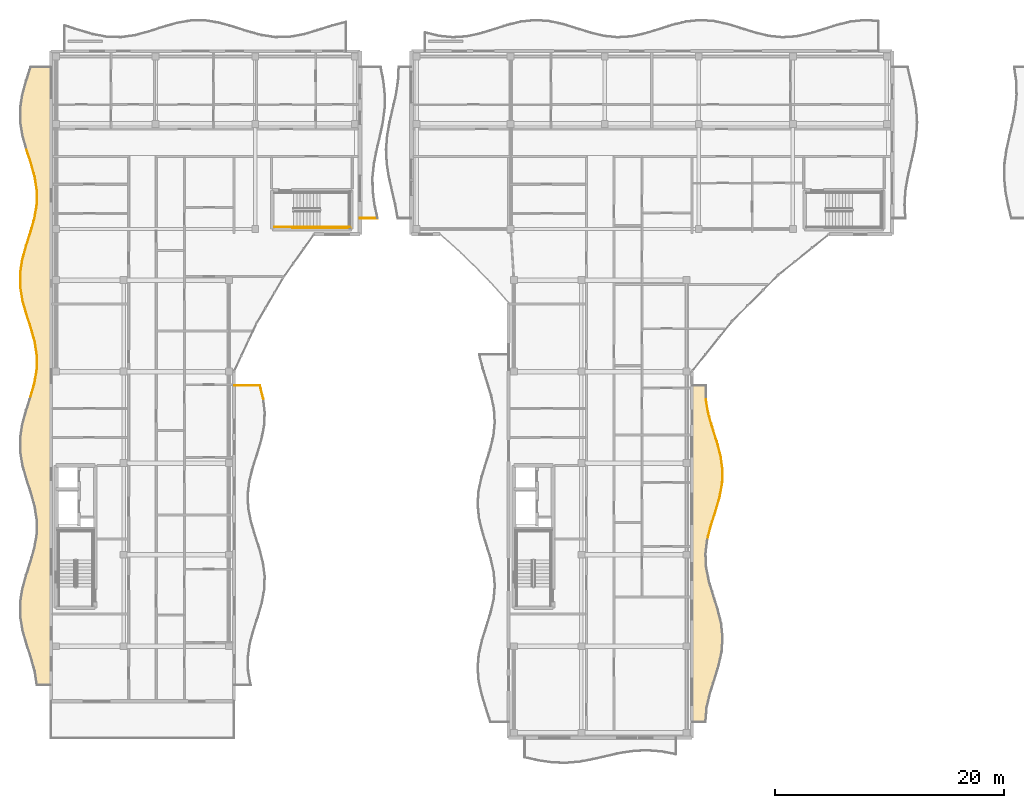
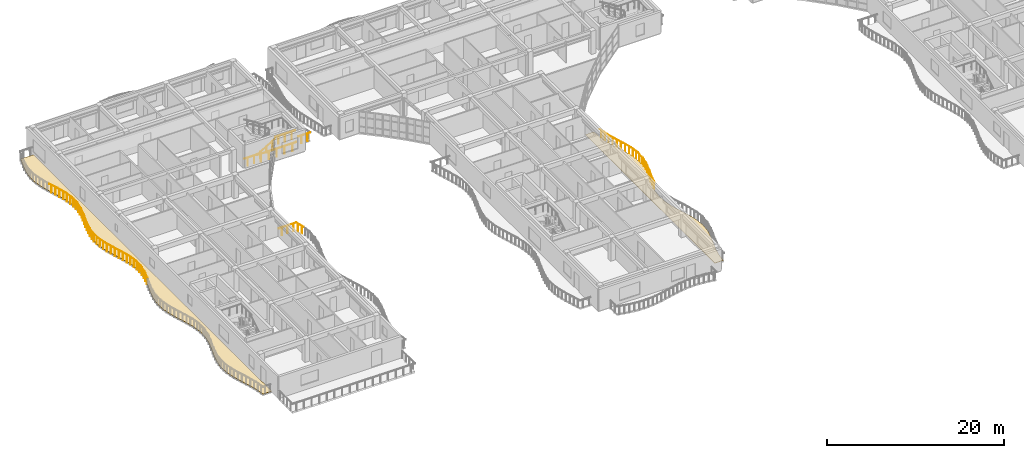
# One storey, part 53 of 72: 35 railings, 2 coverings.
"""IFC4 building model written with IfcOpenShell, lengths in metres."""

from ifc_helpers import new_model, si_unit, direction, frame, origin, origin_2d, place, context, subcontext, project, spatial, polyline, circle, outline, extrude, material, layer, layer_set, type_object, element, save


model = new_model("IFC4")

# Units and contexts
model_context = context("Model", 3, precision=1e-05, world=origin(), true_north=direction((0.0, 1.0)))
body_context = subcontext(model_context, "Body", "Model", "MODEL_VIEW")
ifc_project = project(units=[si_unit("LENGTHUNIT", "METRE"), si_unit("AREAUNIT", "SQUARE_METRE"), si_unit("VOLUMEUNIT", "CUBIC_METRE"), si_unit("PLANEANGLEUNIT", "RADIAN"), si_unit("MASSUNIT", "GRAM", prefix="KILO")], contexts=[model_context])

# Site, building, storey
site_placement = place(None, origin())
site = spatial("IfcSite", under=ifc_project, at=site_placement, CompositionType="ELEMENT")
building_placement = place(site_placement, origin())
building = spatial("IfcBuilding", under=site, at=building_placement, Name="Keldmere Railside Commons", CompositionType="ELEMENT")
storey_placement = place(building_placement, frame((0.0, 0.0, 16.9599609375)))
storey = spatial("IfcBuildingStorey", under=building, at=storey_placement, Name="L05", CompositionType="ELEMENT", Elevation=16.9599609375)

# Railings
ifc_material_1 = material(Name="Steel F-24 (S235)", Category="steel")
railing_type_1 = type_object("IfcRailingType", Name="Balcony & Terrace Steel Balustrade 1100", PredefinedType="BALUSTRADE", material=ifc_material_1)
railing_1_placement = place(storey_placement, frame((26.55810546875, 85.609130859375, 0.0)))
element("IfcRailing", 1, at=railing_1_placement, inside=storey, type_object=railing_type_1, Name="GR-1 GRD-L05-0547", PredefinedType="BALUSTRADE", context=body_context, shape_type="SweptSolid", body=[
    extrude(circle(Radius=0.02392578125, at=origin_2d()), frame((0.0, 0.0, 1.076171875), z_axis=(-0.242816368016, 0.970072271237, 0.0), x_axis=(-0.970072271237, -0.242816368016, 0.0)), (0.0, 0.0, 1.0), 1.2275390625),
    extrude(circle(Radius=0.02099609375, at=origin_2d()), frame((-0.074462890625, 0.2978515625, 0.0)), (0.0, 0.0, 1.0), 1.048095703125),
    extrude(circle(Radius=0.02099609375, at=origin_2d()), frame((-0.2236328125, 0.89306640625, 0.0)), (0.0, 0.0, 1.0), 1.048095703125),
])
railing_2_placement = place(storey_placement, frame((26.260009765625, 86.800048828125, 0.0)))
element("IfcRailing", 2, at=railing_2_placement, inside=storey, type_object=railing_type_1, Name="GR-1 GRD-L05-0548", PredefinedType="BALUSTRADE", context=body_context, shape_type="SweptSolid", body=[
    extrude(circle(Radius=0.02392578125, at=origin_2d()), frame((0.0, 0.0, 1.076171875), z_axis=(-1.0, 0.0, 0.0), x_axis=(0.0, -1.0, 0.0)), (0.0, 0.0, 1.0), 2.260009765625),
    extrude(circle(Radius=0.02099609375, at=origin_2d()), frame((-0.376708984375, 0.0, 0.0)), (0.0, 0.0, 1.0), 1.048095703125),
    extrude(circle(Radius=0.02099609375, at=origin_2d()), frame((-1.1298828125, 0.0, 0.0)), (0.0, 0.0, 1.0), 1.048095703125),
    extrude(circle(Radius=0.02099609375, at=origin_2d()), frame((-1.88330078125, 0.0, 0.0)), (0.0, 0.0, 1.0), 1.048095703125),
])
railing_3_placement = place(storey_placement, frame((6.2265625, 85.800048828125, 0.0)))
element("IfcRailing", 3, at=railing_3_placement, inside=storey, type_object=railing_type_1, Name="GR-1 GRD-L05-0571", PredefinedType="BALUSTRADE", context=body_context, shape_type="SweptSolid", body=[
    extrude(circle(Radius=0.02392578125, at=origin_2d()), frame((0.0, 0.0, 1.076171875), z_axis=(0.273221524605, 0.961951141427, 0.0), x_axis=(-0.961951141427, 0.273221524605, 0.0)), (0.0, 0.0, 1.0), 1.247314453125),
    extrude(circle(Radius=0.02099609375, at=origin_2d()), frame((0.085205078125, 0.300048828125, 0.0)), (0.0, 0.0, 1.0), 1.048095703125),
    extrude(circle(Radius=0.02099609375, at=origin_2d()), frame((0.255615234375, 0.89990234375, 0.0)), (0.0, 0.0, 1.0), 1.048095703125),
])
railing_4_placement = place(storey_placement, frame((6.5673828125, 87.0, 0.0)))
element("IfcRailing", 4, at=railing_4_placement, inside=storey, type_object=railing_type_1, Name="GR-1 GRD-L05-0572", PredefinedType="BALUSTRADE", context=body_context, shape_type="SweptSolid", body=[
    extrude(circle(Radius=0.02392578125, at=origin_2d()), frame((0.0, 0.0, 1.076171875), z_axis=(0.166123084614, 0.986105025217, 0.0), x_axis=(-0.986105025217, 0.166123084614, 0.0)), (0.0, 0.0, 1.0), 1.216796875),
    extrude(circle(Radius=0.02099609375, at=origin_2d()), frame((0.050537109375, 0.300048828125, 0.0)), (0.0, 0.0, 1.0), 1.048095703125),
    extrude(circle(Radius=0.02099609375, at=origin_2d()), frame((0.151611328125, 0.89990234375, 0.0)), (0.0, 0.0, 1.0), 1.048095703125),
])
railing_5_placement = place(storey_placement, frame((6.76953125, 88.199951171875, 0.0)))
element("IfcRailing", 5, at=railing_5_placement, inside=storey, type_object=railing_type_1, Name="GR-1 GRD-L05-0573", PredefinedType="BALUSTRADE", context=body_context, shape_type="SweptSolid", body=[
    extrude(circle(Radius=0.02392578125, at=origin_2d()), frame((0.0, 0.0, 1.076171875), z_axis=(0.007731203321, 0.999970113801, 0.0), x_axis=(-0.999970113801, 0.007731203321, 0.0)), (0.0, 0.0, 1.0), 1.199951171875),
    extrude(circle(Radius=0.02099609375, at=origin_2d()), frame((0.00244140625, 0.300048828125, 0.0)), (0.0, 0.0, 1.0), 1.048095703125),
    extrude(circle(Radius=0.02099609375, at=origin_2d()), frame((0.0068359375, 0.89990234375, 0.0)), (0.0, 0.0, 1.0), 1.048095703125),
])
railing_6_placement = place(storey_placement, frame((6.77880859375, 89.39990234375, 0.0)))
element("IfcRailing", 6, at=railing_6_placement, inside=storey, type_object=railing_type_1, Name="GR-1 GRD-L05-0574", PredefinedType="BALUSTRADE", context=body_context, shape_type="SweptSolid", body=[
    extrude(circle(Radius=0.02392578125, at=origin_2d()), frame((0.0, 0.0, 1.076171875), z_axis=(-0.152978570829, 0.988229506171, 0.0), x_axis=(-0.988229506171, -0.152978570829, 0.0)), (0.0, 0.0, 1.0), 1.214599609375),
    extrude(circle(Radius=0.02099609375, at=origin_2d()), frame((-0.04638671875, 0.300048828125, 0.0)), (0.0, 0.0, 1.0), 1.048095703125),
    extrude(circle(Radius=0.02099609375, at=origin_2d()), frame((-0.139404296875, 0.900146484375, 0.0)), (0.0, 0.0, 1.0), 1.048095703125),
])
railing_7_placement = place(storey_placement, frame((6.593017578125, 90.60009765625, 0.0)))
element("IfcRailing", 7, at=railing_7_placement, inside=storey, type_object=railing_type_1, Name="GR-1 GRD-L05-0575", PredefinedType="BALUSTRADE", context=body_context, shape_type="SweptSolid", body=[
    extrude(circle(Radius=0.02392578125, at=origin_2d()), frame((0.0, 0.0, 1.076171875), z_axis=(-0.266136381947, 0.96393538487, 0.0), x_axis=(-0.96393538487, -0.266136381947, 0.0)), (0.0, 0.0, 1.0), 1.244873046875),
    extrude(circle(Radius=0.02099609375, at=origin_2d()), frame((-0.082763671875, 0.300048828125, 0.0)), (0.0, 0.0, 1.0), 1.048095703125),
    extrude(circle(Radius=0.02099609375, at=origin_2d()), frame((-0.24853515625, 0.89990234375, 0.0)), (0.0, 0.0, 1.0), 1.048095703125),
])
railing_8_placement = place(storey_placement, frame((6.26171875, 91.800048828125, 0.0)))
element("IfcRailing", 8, at=railing_8_placement, inside=storey, type_object=railing_type_1, Name="GR-1 GRD-L05-0576", PredefinedType="BALUSTRADE", context=body_context, shape_type="SweptSolid", body=[
    extrude(circle(Radius=0.02392578125, at=origin_2d()), frame((0.0, 0.0, 1.076171875), z_axis=(-0.307794514865, 0.9514528557, 0.0), x_axis=(-0.9514528557, -0.307794514865, 0.0)), (0.0, 0.0, 1.0), 1.26123046875),
    extrude(circle(Radius=0.02099609375, at=origin_2d()), frame((-0.09716796875, 0.300048828125, 0.0)), (0.0, 0.0, 1.0), 1.048095703125),
    extrude(circle(Radius=0.02099609375, at=origin_2d()), frame((-0.291015625, 0.89990234375, 0.0)), (0.0, 0.0, 1.0), 1.048095703125),
])
railing_9_placement = place(storey_placement, frame((5.87353515625, 93.0, 0.0)))
element("IfcRailing", 9, at=railing_9_placement, inside=storey, type_object=railing_type_1, Name="GR-1 GRD-L05-0577", PredefinedType="BALUSTRADE", context=body_context, shape_type="SweptSolid", body=[
    extrude(circle(Radius=0.02392578125, at=origin_2d()), frame((0.0, 0.0, 1.076171875), z_axis=(-0.273221524605, 0.961951141427, 0.0), x_axis=(-0.961951141427, -0.273221524605, 0.0)), (0.0, 0.0, 1.0), 1.247314453125),
    extrude(circle(Radius=0.02099609375, at=origin_2d()), frame((-0.085205078125, 0.300048828125, 0.0)), (0.0, 0.0, 1.0), 1.048095703125),
    extrude(circle(Radius=0.02099609375, at=origin_2d()), frame((-0.255615234375, 0.89990234375, 0.0)), (0.0, 0.0, 1.0), 1.048095703125),
])
railing_10_placement = place(storey_placement, frame((5.53271484375, 94.199951171875, 0.0)))
element("IfcRailing", 10, at=railing_10_placement, inside=storey, type_object=railing_type_1, Name="GR-1 GRD-L05-0578", PredefinedType="BALUSTRADE", context=body_context, shape_type="SweptSolid", body=[
    extrude(circle(Radius=0.02392578125, at=origin_2d()), frame((0.0, 0.0, 1.076171875), z_axis=(-0.166123084614, 0.986105025217, 0.0), x_axis=(-0.986105025217, -0.166123084614, 0.0)), (0.0, 0.0, 1.0), 1.216796875),
    extrude(circle(Radius=0.02099609375, at=origin_2d()), frame((-0.050537109375, 0.300048828125, 0.0)), (0.0, 0.0, 1.0), 1.048095703125),
    extrude(circle(Radius=0.02099609375, at=origin_2d()), frame((-0.151611328125, 0.89990234375, 0.0)), (0.0, 0.0, 1.0), 1.048095703125),
])
railing_11_placement = place(storey_placement, frame((5.33056640625, 95.39990234375, 0.0)))
element("IfcRailing", 11, at=railing_11_placement, inside=storey, type_object=railing_type_1, Name="GR-1 GRD-L05-0579", PredefinedType="BALUSTRADE", context=body_context, shape_type="SweptSolid", body=[
    extrude(circle(Radius=0.02392578125, at=origin_2d()), frame((0.0, 0.0, 1.076171875), z_axis=(-0.007933029452, 0.999968533027, 0.0), x_axis=(-0.999968533027, -0.007933029452, 0.0)), (0.0, 0.0, 1.0), 1.2001953125),
    extrude(circle(Radius=0.02099609375, at=origin_2d()), frame((-0.00244140625, 0.300048828125, 0.0)), (0.0, 0.0, 1.0), 1.048095703125),
    extrude(circle(Radius=0.02099609375, at=origin_2d()), frame((-0.007080078125, 0.900146484375, 0.0)), (0.0, 0.0, 1.0), 1.048095703125),
])
railing_12_placement = place(storey_placement, frame((5.321044921875, 96.60009765625, 0.0)))
element("IfcRailing", 12, at=railing_12_placement, inside=storey, type_object=railing_type_1, Name="GR-1 GRD-L05-0580", PredefinedType="BALUSTRADE", context=body_context, shape_type="SweptSolid", body=[
    extrude(circle(Radius=0.02392578125, at=origin_2d()), frame((0.0, 0.0, 1.076171875), z_axis=(0.153205313782, 0.988194379578, 0.0), x_axis=(-0.988194379578, 0.153205313782, 0.0)), (0.0, 0.0, 1.0), 1.21435546875),
    extrude(circle(Radius=0.02099609375, at=origin_2d()), frame((0.04638671875, 0.300048828125, 0.0)), (0.0, 0.0, 1.0), 1.048095703125),
    extrude(circle(Radius=0.02099609375, at=origin_2d()), frame((0.1396484375, 0.89990234375, 0.0)), (0.0, 0.0, 1.0), 1.048095703125),
])
railing_13_placement = place(storey_placement, frame((5.507080078125, 97.800048828125, 0.0)))
element("IfcRailing", 13, at=railing_13_placement, inside=storey, type_object=railing_type_1, Name="GR-1 GRD-L05-0581", PredefinedType="BALUSTRADE", context=body_context, shape_type="SweptSolid", body=[
    extrude(circle(Radius=0.02392578125, at=origin_2d()), frame((0.0, 0.0, 1.076171875), z_axis=(0.266136381947, 0.96393538487, 0.0), x_axis=(-0.96393538487, 0.266136381947, 0.0)), (0.0, 0.0, 1.0), 1.244873046875),
    extrude(circle(Radius=0.02099609375, at=origin_2d()), frame((0.082763671875, 0.300048828125, 0.0)), (0.0, 0.0, 1.0), 1.048095703125),
    extrude(circle(Radius=0.02099609375, at=origin_2d()), frame((0.24853515625, 0.89990234375, 0.0)), (0.0, 0.0, 1.0), 1.048095703125),
])
railing_14_placement = place(storey_placement, frame((5.83837890625, 99.0, 0.0)))
element("IfcRailing", 14, at=railing_14_placement, inside=storey, type_object=railing_type_1, Name="GR-1 GRD-L05-0582", PredefinedType="BALUSTRADE", context=body_context, shape_type="SweptSolid", body=[
    extrude(circle(Radius=0.02392578125, at=origin_2d()), frame((0.0, 0.0, 1.076171875), z_axis=(0.307794514865, 0.9514528557, 0.0), x_axis=(-0.9514528557, 0.307794514865, 0.0)), (0.0, 0.0, 1.0), 1.26123046875),
    extrude(circle(Radius=0.02099609375, at=origin_2d()), frame((0.09716796875, 0.300048828125, 0.0)), (0.0, 0.0, 1.0), 1.048095703125),
    extrude(circle(Radius=0.02099609375, at=origin_2d()), frame((0.291015625, 0.89990234375, 0.0)), (0.0, 0.0, 1.0), 1.048095703125),
])
railing_15_placement = place(storey_placement, frame((6.2265625, 100.199951171875, 0.0)))
element("IfcRailing", 15, at=railing_15_placement, inside=storey, type_object=railing_type_1, Name="GR-1 GRD-L05-0583", PredefinedType="BALUSTRADE", context=body_context, shape_type="SweptSolid", body=[
    extrude(circle(Radius=0.02392578125, at=origin_2d()), frame((0.0, 0.0, 1.076171875), z_axis=(0.273221524605, 0.961951141427, 0.0), x_axis=(-0.961951141427, 0.273221524605, 0.0)), (0.0, 0.0, 1.0), 1.247314453125),
    extrude(circle(Radius=0.02099609375, at=origin_2d()), frame((0.085205078125, 0.300048828125, 0.0)), (0.0, 0.0, 1.0), 1.048095703125),
    extrude(circle(Radius=0.02099609375, at=origin_2d()), frame((0.255615234375, 0.89990234375, 0.0)), (0.0, 0.0, 1.0), 1.048095703125),
])
railing_16_placement = place(storey_placement, frame((6.5673828125, 101.39990234375, 0.0)))
element("IfcRailing", 16, at=railing_16_placement, inside=storey, type_object=railing_type_1, Name="GR-1 GRD-L05-0584", PredefinedType="BALUSTRADE", context=body_context, shape_type="SweptSolid", body=[
    extrude(circle(Radius=0.02392578125, at=origin_2d()), frame((0.0, 0.0, 1.076171875), z_axis=(0.166090224572, 0.986110560384, 0.0), x_axis=(-0.986110560384, 0.166090224572, 0.0)), (0.0, 0.0, 1.0), 1.217041015625),
    extrude(circle(Radius=0.02099609375, at=origin_2d()), frame((0.050537109375, 0.300048828125, 0.0)), (0.0, 0.0, 1.0), 1.048095703125),
    extrude(circle(Radius=0.02099609375, at=origin_2d()), frame((0.151611328125, 0.900146484375, 0.0)), (0.0, 0.0, 1.0), 1.048095703125),
])
railing_17_placement = place(storey_placement, frame((6.76953125, 102.60009765625, 0.0)))
element("IfcRailing", 17, at=railing_17_placement, inside=storey, type_object=railing_type_1, Name="GR-1 GRD-L05-0585", PredefinedType="BALUSTRADE", context=body_context, shape_type="SweptSolid", body=[
    extrude(circle(Radius=0.02392578125, at=origin_2d()), frame((0.0, 0.0, 1.076171875), z_axis=(0.007731203321, 0.999970113801, 0.0), x_axis=(-0.999970113801, 0.007731203321, 0.0)), (0.0, 0.0, 1.0), 1.199951171875),
    extrude(circle(Radius=0.02099609375, at=origin_2d()), frame((0.00244140625, 0.300048828125, 0.0)), (0.0, 0.0, 1.0), 1.048095703125),
    extrude(circle(Radius=0.02099609375, at=origin_2d()), frame((0.0068359375, 0.89990234375, 0.0)), (0.0, 0.0, 1.0), 1.048095703125),
])
railing_18_placement = place(storey_placement, frame((6.77880859375, 103.800048828125, 0.0)))
element("IfcRailing", 18, at=railing_18_placement, inside=storey, type_object=railing_type_1, Name="GR-1 GRD-L05-0586", PredefinedType="BALUSTRADE", context=body_context, shape_type="SweptSolid", body=[
    extrude(circle(Radius=0.02392578125, at=origin_2d()), frame((0.0, 0.0, 1.076171875), z_axis=(-0.153008967051, 0.988224800337, 0.0), x_axis=(-0.988224800337, -0.153008967051, 0.0)), (0.0, 0.0, 1.0), 1.21435546875),
    extrude(circle(Radius=0.02099609375, at=origin_2d()), frame((-0.04638671875, 0.300048828125, 0.0)), (0.0, 0.0, 1.0), 1.048095703125),
    extrude(circle(Radius=0.02099609375, at=origin_2d()), frame((-0.139404296875, 0.89990234375, 0.0)), (0.0, 0.0, 1.0), 1.048095703125),
])
railing_19_placement = place(storey_placement, frame((6.593017578125, 105.0, 0.0)))
element("IfcRailing", 19, at=railing_19_placement, inside=storey, type_object=railing_type_1, Name="GR-1 GRD-L05-0587", PredefinedType="BALUSTRADE", context=body_context, shape_type="SweptSolid", body=[
    extrude(circle(Radius=0.02392578125, at=origin_2d()), frame((0.0, 0.0, 1.076171875), z_axis=(-0.266136381947, 0.96393538487, 0.0), x_axis=(-0.96393538487, -0.266136381947, 0.0)), (0.0, 0.0, 1.0), 1.244873046875),
    extrude(circle(Radius=0.02099609375, at=origin_2d()), frame((-0.082763671875, 0.300048828125, 0.0)), (0.0, 0.0, 1.0), 1.048095703125),
    extrude(circle(Radius=0.02099609375, at=origin_2d()), frame((-0.24853515625, 0.89990234375, 0.0)), (0.0, 0.0, 1.0), 1.048095703125),
])
railing_20_placement = place(storey_placement, frame((6.26171875, 106.199951171875, 0.0)))
element("IfcRailing", 20, at=railing_20_placement, inside=storey, type_object=railing_type_1, Name="GR-1 GRD-L05-0588", PredefinedType="BALUSTRADE", context=body_context, shape_type="SweptSolid", body=[
    extrude(circle(Radius=0.02392578125, at=origin_2d()), frame((0.0, 0.0, 1.076171875), z_axis=(-0.307794514865, 0.9514528557, 0.0), x_axis=(-0.9514528557, -0.307794514865, 0.0)), (0.0, 0.0, 1.0), 1.26123046875),
    extrude(circle(Radius=0.02099609375, at=origin_2d()), frame((-0.09716796875, 0.300048828125, 0.0)), (0.0, 0.0, 1.0), 1.048095703125),
    extrude(circle(Radius=0.02099609375, at=origin_2d()), frame((-0.291015625, 0.89990234375, 0.0)), (0.0, 0.0, 1.0), 1.048095703125),
])
railing_21_placement = place(storey_placement, frame((35.0, 101.39990234375, 0.0)))
element("IfcRailing", 21, at=railing_21_placement, inside=storey, type_object=railing_type_1, Name="GR-1 GRD-L05-0596", PredefinedType="BALUSTRADE", context=body_context, shape_type="SweptSolid", body=[
    extrude(circle(Radius=0.02392578125, at=origin_2d()), frame((0.0, 0.0, 1.076171875), z_axis=(1.0, 0.0, 0.0), x_axis=(0.0, 1.0, 0.0)), (0.0, 0.0, 1.0), 1.5361328125),
    extrude(circle(Radius=0.02099609375, at=origin_2d()), frame((0.384033203125, 0.0, 0.0)), (0.0, 0.0, 1.0), 1.048095703125),
    extrude(circle(Radius=0.02099609375, at=origin_2d()), frame((1.152099609375, 0.0, 0.0)), (0.0, 0.0, 1.0), 1.048095703125),
])
railing_22_placement = place(storey_placement, frame((65.354248046875, 73.324951171875, 0.0)))
element("IfcRailing", 22, at=railing_22_placement, inside=storey, type_object=railing_type_1, Name="GR-1 GRD-L05-1355", PredefinedType="BALUSTRADE", context=body_context, shape_type="SweptSolid", body=[
    extrude(circle(Radius=0.02392578125, at=origin_2d()), frame((0.0, 0.0, 1.076171875), z_axis=(0.24915999898, 0.968462335307, 0.0), x_axis=(-0.968462335307, 0.24915999898, 0.0)), (0.0, 0.0, 1.0), 1.264892578125),
    extrude(circle(Radius=0.02099609375, at=origin_2d()), frame((0.078857421875, 0.30615234375, 0.0)), (0.0, 0.0, 1.0), 1.048095703125),
    extrude(circle(Radius=0.02099609375, at=origin_2d()), frame((0.236328125, 0.9189453125, 0.0)), (0.0, 0.0, 1.0), 1.048095703125),
])
railing_23_placement = place(storey_placement, frame((65.66943359375, 74.550048828125, 0.0)))
element("IfcRailing", 23, at=railing_23_placement, inside=storey, type_object=railing_type_1, Name="GR-1 GRD-L05-1356", PredefinedType="BALUSTRADE", context=body_context, shape_type="SweptSolid", body=[
    extrude(circle(Radius=0.02392578125, at=origin_2d()), frame((0.0, 0.0, 1.076171875), z_axis=(0.305904751758, 0.95206212132, 0.0), x_axis=(-0.95206212132, 0.305904751758, 0.0)), (0.0, 0.0, 1.0), 1.28662109375),
    extrude(circle(Radius=0.02099609375, at=origin_2d()), frame((0.098388671875, 0.30615234375, 0.0)), (0.0, 0.0, 1.0), 1.048095703125),
    extrude(circle(Radius=0.02099609375, at=origin_2d()), frame((0.295166015625, 0.918701171875, 0.0)), (0.0, 0.0, 1.0), 1.048095703125),
])
railing_24_placement = place(storey_placement, frame((66.06298828125, 75.77490234375, 0.0)))
element("IfcRailing", 24, at=railing_24_placement, inside=storey, type_object=railing_type_1, Name="GR-1 GRD-L05-1357", PredefinedType="BALUSTRADE", context=body_context, shape_type="SweptSolid", body=[
    extrude(circle(Radius=0.02392578125, at=origin_2d()), frame((0.0, 0.0, 1.076171875), z_axis=(0.283242270873, 0.959048390849, 0.0), x_axis=(-0.959048390849, 0.283242270873, 0.0)), (0.0, 0.0, 1.0), 1.27734375),
    extrude(circle(Radius=0.02099609375, at=origin_2d()), frame((0.09033203125, 0.30615234375, 0.0)), (0.0, 0.0, 1.0), 1.048095703125),
    extrude(circle(Radius=0.02099609375, at=origin_2d()), frame((0.271484375, 0.9189453125, 0.0)), (0.0, 0.0, 1.0), 1.048095703125),
])
railing_25_placement = place(storey_placement, frame((66.4248046875, 77.0, 0.0)))
element("IfcRailing", 25, at=railing_25_placement, inside=storey, type_object=railing_type_1, Name="GR-1 GRD-L05-1358", PredefinedType="BALUSTRADE", context=body_context, shape_type="SweptSolid", body=[
    extrude(circle(Radius=0.02392578125, at=origin_2d()), frame((0.0, 0.0, 1.076171875), z_axis=(0.184122962208, 0.982903217406, 0.0), x_axis=(-0.982903217406, 0.184122962208, 0.0)), (0.0, 0.0, 1.0), 1.246337890625),
    extrude(circle(Radius=0.02099609375, at=origin_2d()), frame((0.057373046875, 0.30615234375, 0.0)), (0.0, 0.0, 1.0), 1.048095703125),
    extrude(circle(Radius=0.02099609375, at=origin_2d()), frame((0.172119140625, 0.9189453125, 0.0)), (0.0, 0.0, 1.0), 1.048095703125),
])
railing_26_placement = place(storey_placement, frame((66.654296875, 78.22509765625, 0.0)))
element("IfcRailing", 26, at=railing_26_placement, inside=storey, type_object=railing_type_1, Name="GR-1 GRD-L05-1359", PredefinedType="BALUSTRADE", context=body_context, shape_type="SweptSolid", body=[
    extrude(circle(Radius=0.02392578125, at=origin_2d()), frame((0.0, 0.0, 1.076171875), z_axis=(0.026898774554, 0.999638162501, 0.0), x_axis=(-0.999638162501, 0.026898774554, 0.0)), (0.0, 0.0, 1.0), 1.225341796875),
    extrude(circle(Radius=0.02099609375, at=origin_2d()), frame((0.00830078125, 0.30615234375, 0.0)), (0.0, 0.0, 1.0), 1.048095703125),
    extrude(circle(Radius=0.02099609375, at=origin_2d()), frame((0.024658203125, 0.918701171875, 0.0)), (0.0, 0.0, 1.0), 1.048095703125),
])
railing_27_placement = place(storey_placement, frame((66.687255859375, 79.449951171875, 0.0)))
element("IfcRailing", 27, at=railing_27_placement, inside=storey, type_object=railing_type_1, Name="GR-1 GRD-L05-1360", PredefinedType="BALUSTRADE", context=body_context, shape_type="SweptSolid", body=[
    extrude(circle(Radius=0.02392578125, at=origin_2d()), frame((0.0, 0.0, 1.076171875), z_axis=(-0.139514851522, 0.990219978694, 0.0), x_axis=(-0.990219978694, -0.139514851522, 0.0)), (0.0, 0.0, 1.0), 1.2373046875),
    extrude(circle(Radius=0.02099609375, at=origin_2d()), frame((-0.043212890625, 0.30615234375, 0.0)), (0.0, 0.0, 1.0), 1.048095703125),
    extrude(circle(Radius=0.02099609375, at=origin_2d()), frame((-0.12939453125, 0.9189453125, 0.0)), (0.0, 0.0, 1.0), 1.048095703125),
])
railing_28_placement = place(storey_placement, frame((66.5146484375, 80.675048828125, 0.0)))
element("IfcRailing", 28, at=railing_28_placement, inside=storey, type_object=railing_type_1, Name="GR-1 GRD-L05-1361", PredefinedType="BALUSTRADE", context=body_context, shape_type="SweptSolid", body=[
    extrude(circle(Radius=0.02392578125, at=origin_2d()), frame((0.0, 0.0, 1.076171875), z_axis=(-0.260380641407, 0.9655060443, 0.0), x_axis=(-0.9655060443, -0.260380641407, 0.0)), (0.0, 0.0, 1.0), 1.2685546875),
    extrude(circle(Radius=0.02099609375, at=origin_2d()), frame((-0.08251953125, 0.30615234375, 0.0)), (0.0, 0.0, 1.0), 1.048095703125),
    extrude(circle(Radius=0.02099609375, at=origin_2d()), frame((-0.247802734375, 0.918701171875, 0.0)), (0.0, 0.0, 1.0), 1.048095703125),
])
railing_29_placement = place(storey_placement, frame((66.184326171875, 81.89990234375, 0.0)))
element("IfcRailing", 29, at=railing_29_placement, inside=storey, type_object=railing_type_1, Name="GR-1 GRD-L05-1362", PredefinedType="BALUSTRADE", context=body_context, shape_type="SweptSolid", body=[
    extrude(circle(Radius=0.02392578125, at=origin_2d()), frame((0.0, 0.0, 1.076171875), z_axis=(-0.307224411019, 0.951637095365, 0.0), x_axis=(-0.951637095365, -0.307224411019, 0.0)), (0.0, 0.0, 1.0), 1.287353515625),
    extrude(circle(Radius=0.02099609375, at=origin_2d()), frame((-0.098876953125, 0.30615234375, 0.0)), (0.0, 0.0, 1.0), 1.048095703125),
    extrude(circle(Radius=0.02099609375, at=origin_2d()), frame((-0.296630859375, 0.9189453125, 0.0)), (0.0, 0.0, 1.0), 1.048095703125),
])
railing_30_placement = place(storey_placement, frame((65.788818359375, 83.125, 0.0)))
element("IfcRailing", 30, at=railing_30_placement, inside=storey, type_object=railing_type_1, Name="GR-1 GRD-L05-1363", PredefinedType="BALUSTRADE", context=body_context, shape_type="SweptSolid", body=[
    extrude(circle(Radius=0.02392578125, at=origin_2d()), frame((0.0, 0.0, 1.076171875), z_axis=(-0.275303052491, 0.96135749297, 0.0), x_axis=(-0.96135749297, -0.275303052491, 0.0)), (0.0, 0.0, 1.0), 1.2744140625),
    extrude(circle(Radius=0.02099609375, at=origin_2d()), frame((-0.087646484375, 0.30615234375, 0.0)), (0.0, 0.0, 1.0), 1.048095703125),
    extrude(circle(Radius=0.02099609375, at=origin_2d()), frame((-0.26318359375, 0.9189453125, 0.0)), (0.0, 0.0, 1.0), 1.048095703125),
])
railing_31_placement = place(storey_placement, frame((65.43798828125, 84.35009765625, 0.0)))
element("IfcRailing", 31, at=railing_31_placement, inside=storey, type_object=railing_type_1, Name="GR-1 GRD-L05-1364", PredefinedType="BALUSTRADE", context=body_context, shape_type="SweptSolid", body=[
    extrude(circle(Radius=0.02392578125, at=origin_2d()), frame((0.0, 0.0, 1.076171875), z_axis=(-0.16723450119, 0.985917147438, 0.0), x_axis=(-0.985917147438, -0.16723450119, 0.0)), (0.0, 0.0, 1.0), 1.242431640625),
    extrude(circle(Radius=0.02099609375, at=origin_2d()), frame((-0.052001953125, 0.30615234375, 0.0)), (0.0, 0.0, 1.0), 1.048095703125),
    extrude(circle(Radius=0.02099609375, at=origin_2d()), frame((-0.15576171875, 0.918701171875, 0.0)), (0.0, 0.0, 1.0), 1.048095703125),
])
railing_type_2 = type_object("IfcRailingType", Name="Stair Well Steel Guardrail 1100", PredefinedType="BALUSTRADE", material=ifc_material_1)
railing_32_placement = place(storey_placement, frame((31.52001953125, 100.64990234375, 1.60009765625)))
element("IfcRailing", 32, at=railing_32_placement, inside=storey, type_object=railing_type_2, Name="L05 ST-D2 stair guard 3", PredefinedType="BALUSTRADE", context=body_context, shape_type="SweptSolid", body=[
    extrude(circle(Radius=0.02392578125, at=origin_2d()), frame((0.0, 0.0, 1.076171875), z_axis=(1.0, 0.0, 0.0), x_axis=(0.0, 1.0, 0.0)), (0.0, 0.0, 1.0), 2.580078125),
    extrude(circle(Radius=0.02099609375, at=origin_2d()), frame((0.429931640625, 0.0, 0.0)), (0.0, 0.0, 1.0), 1.048095703125),
    extrude(circle(Radius=0.02099609375, at=origin_2d()), frame((1.2900390625, 0.0, 0.0)), (0.0, 0.0, 1.0), 1.048095703125),
    extrude(circle(Radius=0.02099609375, at=origin_2d()), frame((2.150146484375, 0.0, 0.0)), (0.0, 0.0, 1.0), 1.048095703125),
])
railing_33_placement = place(storey_placement, frame((27.5, 100.64990234375, 0.0)))
element("IfcRailing", 33, at=railing_33_placement, inside=storey, type_object=railing_type_2, Name="L05 ST-D2 stair guard 8", PredefinedType="BALUSTRADE", context=body_context, shape_type="SweptSolid", body=[
    extrude(circle(Radius=0.02392578125, at=origin_2d()), frame((0.0, 0.0, 1.076171875), z_axis=(1.0, 0.0, 0.0), x_axis=(0.0, 1.0, 0.0)), (0.0, 0.0, 1.0), 1.699951171875),
    extrude(circle(Radius=0.02099609375, at=origin_2d()), frame((0.425048828125, 0.0, 0.0)), (0.0, 0.0, 1.0), 1.048095703125),
    extrude(circle(Radius=0.02099609375, at=origin_2d()), frame((1.27490234375, 0.0, 0.0)), (0.0, 0.0, 1.0), 1.048095703125),
])
railing_34_placement = place(storey_placement, frame((29.10009765625, 100.550048828125, 0.0)))
element("IfcRailing", 34, at=railing_34_placement, inside=storey, type_object=railing_type_2, Name="L05 ST-D2 stair guard 10", PredefinedType="BALUSTRADE", context=body_context, shape_type="SweptSolid", body=[
    extrude(circle(Radius=0.02392578125, at=origin_2d()), frame((0.0, 0.0, 1.076171875), z_axis=(1.0, 0.0, 0.0), x_axis=(0.0, 1.0, 0.0)), (0.0, 0.0, 1.0), 5.099853515625),
    extrude(circle(Radius=0.02099609375, at=origin_2d()), frame((0.510009765625, 0.0, 0.0)), (0.0, 0.0, 1.0), 1.048095703125),
    extrude(circle(Radius=0.02099609375, at=origin_2d()), frame((1.530029296875, 0.0, 0.0)), (0.0, 0.0, 1.0), 1.048095703125),
    extrude(circle(Radius=0.02099609375, at=origin_2d()), frame((2.5498046875, 0.0, 0.0)), (0.0, 0.0, 1.0), 1.048095703125),
    extrude(circle(Radius=0.02099609375, at=origin_2d()), frame((3.56982421875, 0.0, 0.0)), (0.0, 0.0, 1.0), 1.048095703125),
    extrude(circle(Radius=0.02099609375, at=origin_2d()), frame((4.58984375, 0.0, 0.0)), (0.0, 0.0, 1.0), 1.048095703125),
])
railing_type_3 = type_object("IfcRailingType", Name="Wall-Mounted Tubular Steel Handrail 900", PredefinedType="HANDRAIL", material=ifc_material_1)
railing_35_placement = place(storey_placement, frame((29.199951171875, 100.64990234375, 0.177734375)))
element("IfcRailing", 35, at=railing_35_placement, inside=storey, type_object=railing_type_3, Name="L05 ST-D2 stair handrail 1", PredefinedType="HANDRAIL", context=body_context, shape_type="SweptSolid", body=[
    extrude(circle(Radius=0.02392578125, at=origin_2d()), frame((0.0, 0.0, 0.8759765625), z_axis=(0.852538067394, 0.0, 0.522665135287), x_axis=(0.0, 1.0, 0.0)), (0.0, 0.0, 1.0), 2.721435546875),
    extrude(circle(Radius=0.02099609375, at=origin_2d()), frame((0.38671875, 0.0, 0.237060546875)), (0.0, 0.0, 1.0), 0.847900390625),
    extrude(circle(Radius=0.02099609375, at=origin_2d()), frame((1.16015625, 0.0, 0.711181640625)), (0.0, 0.0, 1.0), 0.847900390625),
    extrude(circle(Radius=0.02099609375, at=origin_2d()), frame((1.933349609375, 0.0, 1.185302734375)), (0.0, 0.0, 1.0), 0.847900390625),
])

# Coverings
ifc_material_2 = material(Name="White Precast Concrete C35/45", Category="concrete")
ifc_layer = layer(ifc_material_2, 0.044921875, Name="White Architectural Balcony Ribbon Cladding 45")
ifc_layer_set = layer_set([ifc_layer], Name="White Precast Concrete C35/45")
covering_type = type_object("IfcCoveringType", Name="White Architectural Balcony Ribbon Cladding 45", PredefinedType="FLOORING", material=ifc_layer_set)
covering_1_placement = place(storey_placement, origin())
element("IfcCovering", 36, at=covering_1_placement, inside=storey, type_object=covering_type, Name="CLG-WB D L05 CW White Balcony Ribbon", PredefinedType="FLOORING", context=body_context, shape_type="SweptSolid", body=[
    extrude(outline(polyline([(7.9599609375, 114.56005859375), (6.255615234375, 114.56005859375), (5.876708984375, 113.388427734375), (5.546142578125, 112.191650390625), (5.361083984375, 110.9970703125), (5.37060546875, 109.803466796875), (5.57177734375, 108.60888671875), (5.911865234375, 107.41162109375), (6.2998046875, 106.21240234375), (6.30029296875, 106.210693359375), (6.631591796875, 105.010498046875), (6.632568359375, 105.006103515625), (6.818359375, 103.80615234375), (6.81884765625, 103.802978515625), (6.81884765625, 103.7998046875), (6.8095703125, 102.599609375), (6.809326171875, 102.596435546875), (6.808837890625, 102.593505859375), (6.606689453125, 101.393310546875), (6.605712890625, 101.38916015625), (6.264892578125, 100.189208984375), (6.2646484375, 100.187744140625), (5.876708984375, 98.988525390625), (5.546142578125, 97.79150390625), (5.361083984375, 96.59716796875), (5.37060546875, 95.403564453125), (5.57177734375, 94.208740234375), (5.911865234375, 93.01171875), (6.2998046875, 91.812255859375), (6.30029296875, 91.810546875), (6.631591796875, 90.610595703125), (6.632568359375, 90.606201171875), (6.818359375, 89.406005859375), (6.81884765625, 89.40283203125), (6.81884765625, 89.399658203125), (6.8095703125, 88.19970703125), (6.809326171875, 88.196533203125), (6.808837890625, 88.193359375), (6.606689453125, 86.993408203125), (6.605712890625, 86.989013671875), (6.264892578125, 85.7890625), (6.2646484375, 85.78759765625), (5.876708984375, 84.58837890625), (5.546142578125, 83.3916015625), (5.361083984375, 82.197021484375), (5.37060546875, 81.00341796875), (5.57177734375, 79.808837890625), (5.911865234375, 78.611572265625), (6.2998046875, 77.412353515625), (6.30029296875, 77.41064453125), (6.631591796875, 76.210693359375), (6.632568359375, 76.2060546875), (6.818359375, 75.006103515625), (6.81884765625, 75.0029296875), (6.81884765625, 74.999755859375), (6.8095703125, 73.7998046875), (6.809326171875, 73.79638671875), (6.808837890625, 73.79345703125), (6.606689453125, 72.593505859375), (6.605712890625, 72.589111328125), (6.264892578125, 71.38916015625), (6.2646484375, 71.3876953125), (5.876708984375, 70.1884765625), (5.546142578125, 68.99169921875), (5.361083984375, 67.797119140625), (5.37060546875, 66.603515625), (5.57177734375, 65.40869140625), (5.911865234375, 64.211669921875), (6.2998046875, 63.01220703125), (6.30029296875, 63.010498046875), (6.631591796875, 61.810546875), (6.632568359375, 61.80615234375), (6.813232421875, 60.639892578125), (7.9599609375, 60.639892578125), (7.9599609375, 114.56005859375)])), origin(), (0.0, 0.0, 1.0), 0.044921875),
])
covering_2_placement = place(storey_placement, origin())
element("IfcCovering", 37, at=covering_2_placement, inside=storey, type_object=covering_type, Name="CLG-WB C L05 CE White Balcony Ribbon", PredefinedType="FLOORING", context=body_context, shape_type="SweptSolid", body=[
    extrude(outline(polyline([(65.260009765625, 58.628173828125), (65.260986328125, 58.6337890625), (65.5419921875, 59.85888671875), (65.54296875, 59.862060546875), (65.927001953125, 61.0869140625), (66.306396484375, 62.310302734375), (66.574951171875, 63.53076171875), (66.65869140625, 64.749267578125), (66.53466796875, 65.96826171875), (66.23681640625, 67.189208984375), (65.84765625, 68.412841796875), (65.847412109375, 68.413330078125), (65.4755859375, 69.638427734375), (65.474853515625, 69.64208984375), (65.224853515625, 70.866943359375), (65.224365234375, 70.8701171875), (65.22412109375, 70.873046875), (65.165283203125, 72.09814453125), (65.165283203125, 72.1015625), (65.16552734375, 72.104736328125), (65.314697265625, 73.329833984375), (65.315673828125, 73.3349609375), (65.630859375, 74.56005859375), (65.63134765625, 74.562255859375), (66.02490234375, 75.786865234375), (66.385986328125, 77.009521484375), (66.614501953125, 78.229248046875), (66.647216796875, 79.44775390625), (66.475341796875, 80.6669921875), (66.14599609375, 81.888671875), (65.750732421875, 83.11279296875), (65.750244140625, 83.114013671875), (65.399658203125, 84.339111328125), (65.398681640625, 84.34326171875), (65.19091796875, 85.568359375), (65.1904296875, 85.571533203125), (65.190185546875, 85.57470703125), (65.183349609375, 86.760009765625), (64.0400390625, 86.760009765625), (64.0400390625, 57.43994140625), (65.1630859375, 57.43994140625), (65.260009765625, 58.628173828125)])), origin(), (0.0, 0.0, 1.0), 0.044921875),
])

save(model, "model.ifc")
